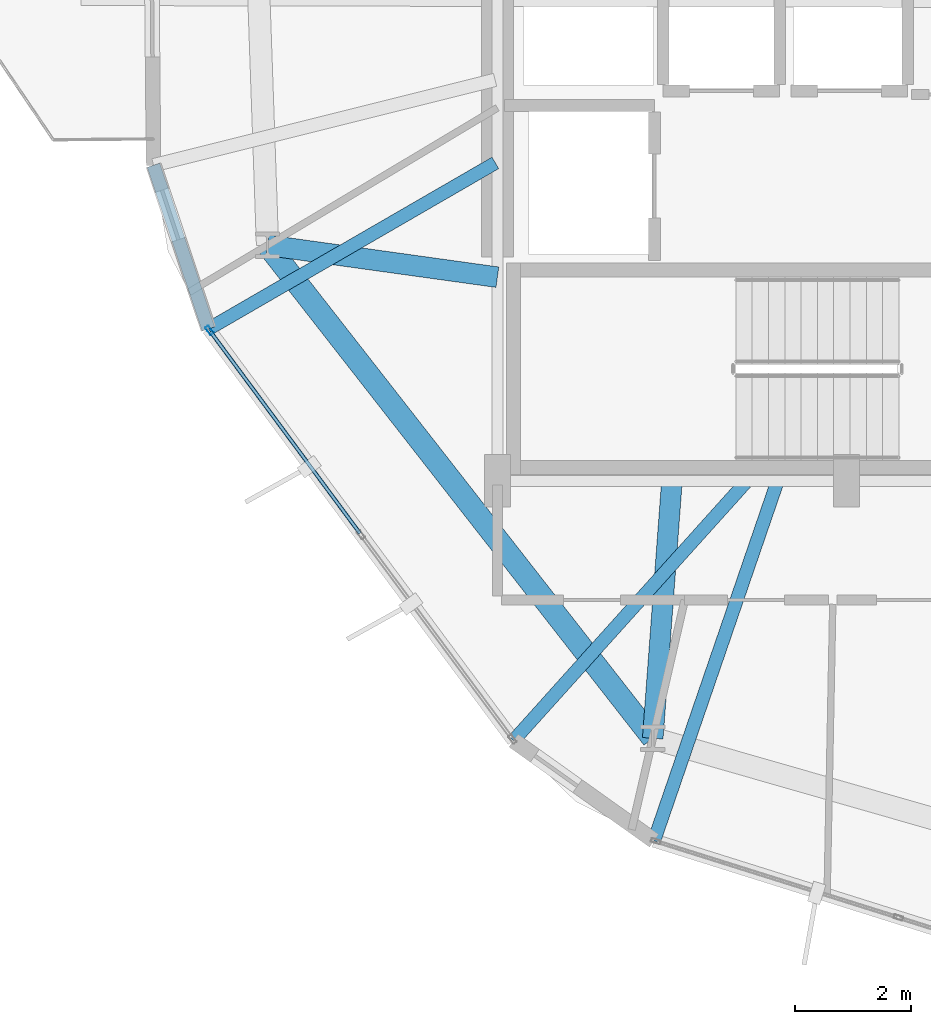
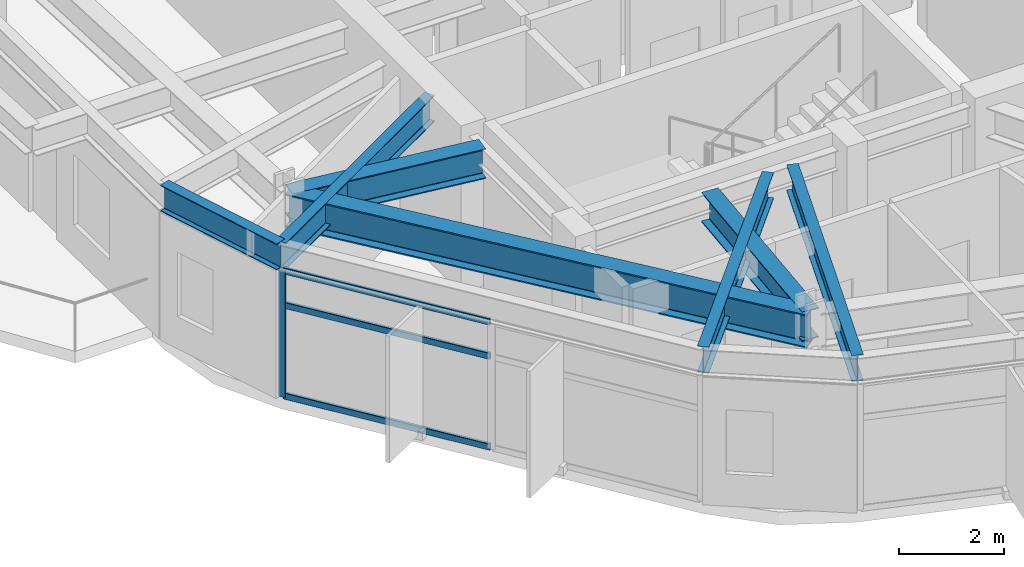
# One storey, part 3 of 27: 7 beams, 4 members, 1 element without a shape of its own.
"""IFC4 building model written with IfcOpenShell, lengths in metres."""

from ifc_helpers import new_model, si_unit, direction, frame, origin, origin_2d, place, context, subcontext, project, spatial, hollow_rectangle, i_section, extrude, material, layer, layer_set, material_profile, profile_set, type_object, element, aggregate, save


model = new_model("IFC4")

# Units and contexts
model_context = context("Model", 3, precision=1e-05, world=origin(), true_north=direction((0.0, 1.0)))
body_context = subcontext(model_context, "Body", "Model", "MODEL_VIEW")
ifc_project = project(units=[si_unit("LENGTHUNIT", "METRE"), si_unit("AREAUNIT", "SQUARE_METRE"), si_unit("VOLUMEUNIT", "CUBIC_METRE"), si_unit("PLANEANGLEUNIT", "RADIAN"), si_unit("MASSUNIT", "GRAM", prefix="KILO")], contexts=[model_context])

# Site, building, storey
site_placement = place(None, origin())
site = spatial("IfcSite", under=ifc_project, at=site_placement, CompositionType="ELEMENT")
building_placement = place(site_placement, origin())
building = spatial("IfcBuilding", under=site, at=building_placement, Name="Soratama Intermodal Tower", CompositionType="ELEMENT")
storey_placement = place(building_placement, frame((0.0, 0.0, 103.0)))
storey = spatial("IfcBuildingStorey", under=building, at=storey_placement, Name="L24", CompositionType="ELEMENT", Elevation=103.0)

# Beams
ifc_material_1 = material(Name="Structural steel ASTM A992 Grade 50", Category="steel")
ifc_material_profile_1 = material_profile(ifc_material_1, i_section(OverallWidth=0.35498046875, OverallDepth=0.695068359375, WebThickness=0.015380859375, FlangeThickness=0.02490234375, FilletRadius=0.01611328125, at=origin_2d()), Name="W27X146")
ifc_profile_set_1 = profile_set([ifc_material_profile_1], Name="Structural steel ASTM A992 Grade 50")
beam_type_1 = type_object("IfcBeamType", Name="BM-RING-W27X146", PredefinedType="BEAM", material=ifc_profile_set_1)
beam_1_placement = place(storey_placement, frame((32.60009765625, 18.5, 3.25244140625), z_axis=(-0.990482077962, 0.137641756879, 0.0), x_axis=(-0.137641756879, -0.990482077962, 0.0)))
element("IfcBeam", 1, at=beam_1_placement, inside=storey, type_object=beam_type_1, Name="BM-L24-RAD-06", PredefinedType="BEAM", context=body_context, shape_type="SweptSolid", body=[
    extrude(i_section(OverallWidth=0.35498046875, OverallDepth=0.695068359375, WebThickness=0.015380859375, FlangeThickness=0.02490234375, FilletRadius=0.01611328125, at=origin_2d()), origin(), (0.0, 0.0, 1.0), 3.9892578125),
])
beam_2_placement = place(storey_placement, frame((35.60009765625, 15.0, 3.25244140625), z_axis=(-0.074386442563, -0.997229490721, 0.0), x_axis=(0.997229490721, -0.074386442563, 0.0)))
element("IfcBeam", 2, at=beam_2_placement, inside=storey, type_object=beam_type_1, Name="BM-L24-RAD-07", PredefinedType="BEAM", context=body_context, shape_type="SweptSolid", body=[
    extrude(i_section(OverallWidth=0.35498046875, OverallDepth=0.695068359375, WebThickness=0.015380859375, FlangeThickness=0.02490234375, FilletRadius=0.01611328125, at=origin_2d()), origin(), (0.0, 0.0, 1.0), 4.437255859375),
])
ifc_material_2 = material(Name="Structural steel ASTM A992 Grade 50", Category="steel")
ifc_material_profile_2 = material_profile(ifc_material_2, i_section(OverallWidth=0.382080078125, OverallDepth=0.779052734375, WebThickness=0.01806640625, FlangeThickness=0.030029296875, FilletRadius=0.01806640625, at=origin_2d()), Name="W30X191")
ifc_profile_set_2 = profile_set([ifc_material_profile_2], Name="Structural steel ASTM A992 Grade 50")
beam_type_2 = type_object("IfcBeamType", Name="BM-RING-W30X191", PredefinedType="BEAM", material=ifc_profile_set_2)
beam_3_placement = place(storey_placement, frame((28.64892578125, 19.049072265625, 3.21044921875), z_axis=(0.615683690883, -0.787993396407, 0.0), x_axis=(0.787993396407, 0.615683690883, 0.0)))
element("IfcBeam", 3, at=beam_3_placement, inside=storey, type_object=beam_type_2, Name="BM-L24-RING-06", PredefinedType="BEAM", context=body_context, shape_type="SweptSolid", body=[
    extrude(i_section(OverallWidth=0.382080078125, OverallDepth=0.779052734375, WebThickness=0.01806640625, FlangeThickness=0.030029296875, FilletRadius=0.01806640625, at=origin_2d()), origin(), (0.0, 0.0, 1.0), 10.754150390625),
])
ifc_material_3 = material(Name="Structural steel ASTM A992 Grade 50", Category="steel")
ifc_material_profile_3 = material_profile(ifc_material_3, i_section(OverallWidth=0.22900390625, OverallDepth=0.612060546875, WebThickness=0.011962890625, FlangeThickness=0.01953125, FilletRadius=0.012939453125, at=origin_2d()), Name="W24X84")
ifc_profile_set_3 = profile_set([ifc_material_profile_3], Name="Structural steel ASTM A992 Grade 50")
beam_type_3 = type_object("IfcBeamType", Name="BM-SPN-W24X84", PredefinedType="SPANDREL", material=ifc_profile_set_3)
beam_4_placement = place(storey_placement, frame((26.68994140625, 20.424072265625, 3.2939453125), z_axis=(0.318177136265, -0.948031281108, 0.0), x_axis=(0.948031281108, 0.318177136265, 0.0)))
element("IfcBeam", 4, at=beam_4_placement, inside=storey, type_object=beam_type_3, Name="BS-L24-CRN05", PredefinedType="SPANDREL", context=body_context, shape_type="SweptSolid", body=[
    extrude(i_section(OverallWidth=0.22900390625, OverallDepth=0.612060546875, WebThickness=0.011962890625, FlangeThickness=0.01953125, FilletRadius=0.012939453125, at=origin_2d()), origin(), (0.0, 0.0, 1.0), 2.96728515625),
])
ifc_material_4 = material(Name="Structural steel ASTM A992 Grade 50", Category="steel")
ifc_material_profile_4 = material_profile(ifc_material_4, i_section(OverallWidth=0.22900390625, OverallDepth=0.612060546875, WebThickness=0.011962890625, FlangeThickness=0.01953125, FilletRadius=0.012939453125, at=origin_2d()), Name="W24X84")
ifc_profile_set_4 = profile_set([ifc_material_profile_4], Name="Structural steel ASTM A992 Grade 50")
beam_type_4 = type_object("IfcBeamType", Name="BM-TIE-W24X84", PredefinedType="BEAM", material=ifc_profile_set_4)
beam_5_placement = place(storey_placement, frame((32.56494140625, 20.464111328125, 3.2939453125), z_axis=(-0.865556334888, -0.500811572486, 0.0), x_axis=(0.500811572486, -0.865556334888, 0.0)))
element("IfcBeam", 5, at=beam_5_placement, inside=storey, type_object=beam_type_4, Name="BM-L24-TIE0-06", PredefinedType="BEAM", context=body_context, shape_type="SweptSolid", body=[
    extrude(i_section(OverallWidth=0.22900390625, OverallDepth=0.612060546875, WebThickness=0.011962890625, FlangeThickness=0.01953125, FilletRadius=0.012939453125, at=origin_2d()), origin(), (0.0, 0.0, 1.0), 5.69677734375),
])
beam_6_placement = place(storey_placement, frame((36.864990234375, 14.969970703125, 3.2939453125), z_axis=(-0.668720425219, -0.743513949362, 0.0), x_axis=(0.743513949362, -0.668720425219, 0.0)))
element("IfcBeam", 6, at=beam_6_placement, inside=storey, type_object=beam_type_4, Name="BM-L24-TIE1-06", PredefinedType="BEAM", context=body_context, shape_type="SweptSolid", body=[
    extrude(i_section(OverallWidth=0.22900390625, OverallDepth=0.612060546875, WebThickness=0.011962890625, FlangeThickness=0.01953125, FilletRadius=0.012939453125, at=origin_2d()), origin(), (0.0, 0.0, 1.0), 5.963623046875),
])
beam_7_placement = place(storey_placement, frame((37.404052734375, 14.9619140625, 3.2939453125), z_axis=(-0.324813102702, -0.945778223641, 0.0), x_axis=(0.945778223641, -0.324813102702, 0.0)))
element("IfcBeam", 7, at=beam_7_placement, inside=storey, type_object=beam_type_4, Name="BM-L24-TIE0-07", PredefinedType="BEAM", context=body_context, shape_type="SweptSolid", body=[
    extrude(i_section(OverallWidth=0.22900390625, OverallDepth=0.612060546875, WebThickness=0.011962890625, FlangeThickness=0.01953125, FilletRadius=0.012939453125, at=origin_2d()), origin(), (0.0, 0.0, 1.0), 6.499267578125),
])

# Curtain wall, members
ifc_material_5 = material(Name="Double-glazed aluminium curtain wall", Category="aluminium")
ifc_layer = layer(ifc_material_5, 0.159912109375)
ifc_layer_set = layer_set([ifc_layer], Name="Double-glazed aluminium curtain wall")
curtain_wall_type = type_object("IfcCurtainWallType", Name="CW-SYS-3", PredefinedType="NOTDEFINED", material=ifc_layer_set)
curtain_wall_placement = place(storey_placement, origin())
curtain_wall = element("IfcCurtainWall", 8, at=curtain_wall_placement, inside=storey, type_object=curtain_wall_type, Name="L24 Faceted Curtain Wall F06", PredefinedType="NOTDEFINED")
ifc_material_6 = material(Name="Anodised aluminium AA 6063-T6", Category="aluminium")
ifc_material_profile_5 = material_profile(ifc_material_6, hollow_rectangle(XDim=0.070068359375, YDim=0.159912109375, WallThickness=0.0048828125, InnerFilletRadius=0.0048828125, OuterFilletRadius=0.010009765625, at=origin_2d()), Name="CWM160X70X5")
ifc_profile_set_5 = profile_set([ifc_material_profile_5], Name="Anodised aluminium AA 6063-T6")
member_type_1 = type_object("IfcMemberType", Name="MT-CWM-3", PredefinedType="MULLION", material=ifc_profile_set_5)
member_1_placement = place(storey_placement, frame((27.651611328125, 17.58740234375, 0.0), z_axis=(0.0, 0.0, 1.0), x_axis=(0.803442319761, 0.595382598685, 0.0)))
member_1 = element("IfcMember", 9, at=member_1_placement, type_object=member_type_1, Name="CW-3 mullion 1", PredefinedType="MULLION", context=body_context, shape_type="SweptSolid", body=[
    extrude(hollow_rectangle(XDim=0.070068359375, YDim=0.159912109375, WallThickness=0.0048828125, InnerFilletRadius=0.0048828125, OuterFilletRadius=0.010009765625, at=origin_2d()), origin(), (0.0, 0.0, 1.0), 2.97900390625),
])
ifc_material_7 = material(Name="Anodised aluminium AA 6063-T6", Category="aluminium")
ifc_material_profile_6 = material_profile(ifc_material_7, hollow_rectangle(XDim=0.06494140625, YDim=0.14990234375, WallThickness=0.0048828125, InnerFilletRadius=0.0048828125, OuterFilletRadius=0.010009765625, at=origin_2d()), Name="CWT150X65X5")
ifc_profile_set_6 = profile_set([ifc_material_profile_6], Name="Anodised aluminium AA 6063-T6")
member_type_2 = type_object("IfcMemberType", Name="TT-CWT-1", PredefinedType="USERDEFINED", material=ifc_profile_set_6)
member_2_placement = place(storey_placement, frame((27.66943359375, 17.563232421875, 0.030029296875), z_axis=(0.59538049651, -0.803443877552, 0.0), x_axis=(0.803443877552, 0.59538049651, 0.0)))
member_2 = element("IfcMember", 10, at=member_2_placement, type_object=member_type_2, Name="CW-3 transom 1.1", ObjectType="TRANSOM", PredefinedType="USERDEFINED", context=body_context, shape_type="SweptSolid", body=[
    extrude(hollow_rectangle(XDim=0.06494140625, YDim=0.14990234375, WallThickness=0.0048828125, InnerFilletRadius=0.0048828125, OuterFilletRadius=0.010009765625, at=origin_2d()), origin(), (0.0, 0.0, 1.0), 4.3134765625),
])
member_3_placement = place(storey_placement, frame((27.66943359375, 17.563232421875, 2.14990234375), z_axis=(0.59538049651, -0.803443877552, 0.0), x_axis=(0.803443877552, 0.59538049651, 0.0)))
member_3 = element("IfcMember", 11, at=member_3_placement, type_object=member_type_2, Name="CW-3 transom 1.2", ObjectType="TRANSOM", PredefinedType="USERDEFINED", context=body_context, shape_type="SweptSolid", body=[
    extrude(hollow_rectangle(XDim=0.06494140625, YDim=0.14990234375, WallThickness=0.0048828125, InnerFilletRadius=0.0048828125, OuterFilletRadius=0.010009765625, at=origin_2d()), origin(), (0.0, 0.0, 1.0), 4.3134765625),
])
member_4_placement = place(storey_placement, frame((27.66943359375, 17.563232421875, 2.948974609375), z_axis=(0.59538049651, -0.803443877552, 0.0), x_axis=(0.803443877552, 0.59538049651, 0.0)))
member_4 = element("IfcMember", 12, at=member_4_placement, type_object=member_type_2, Name="CW-3 transom 1.3", ObjectType="TRANSOM", PredefinedType="USERDEFINED", context=body_context, shape_type="SweptSolid", body=[
    extrude(hollow_rectangle(XDim=0.06494140625, YDim=0.14990234375, WallThickness=0.0048828125, InnerFilletRadius=0.0048828125, OuterFilletRadius=0.010009765625, at=origin_2d()), origin(), (0.0, 0.0, 1.0), 4.3134765625),
])
aggregate(curtain_wall, [member_1, member_2, member_3, member_4])

save(model, "model.ifc")
